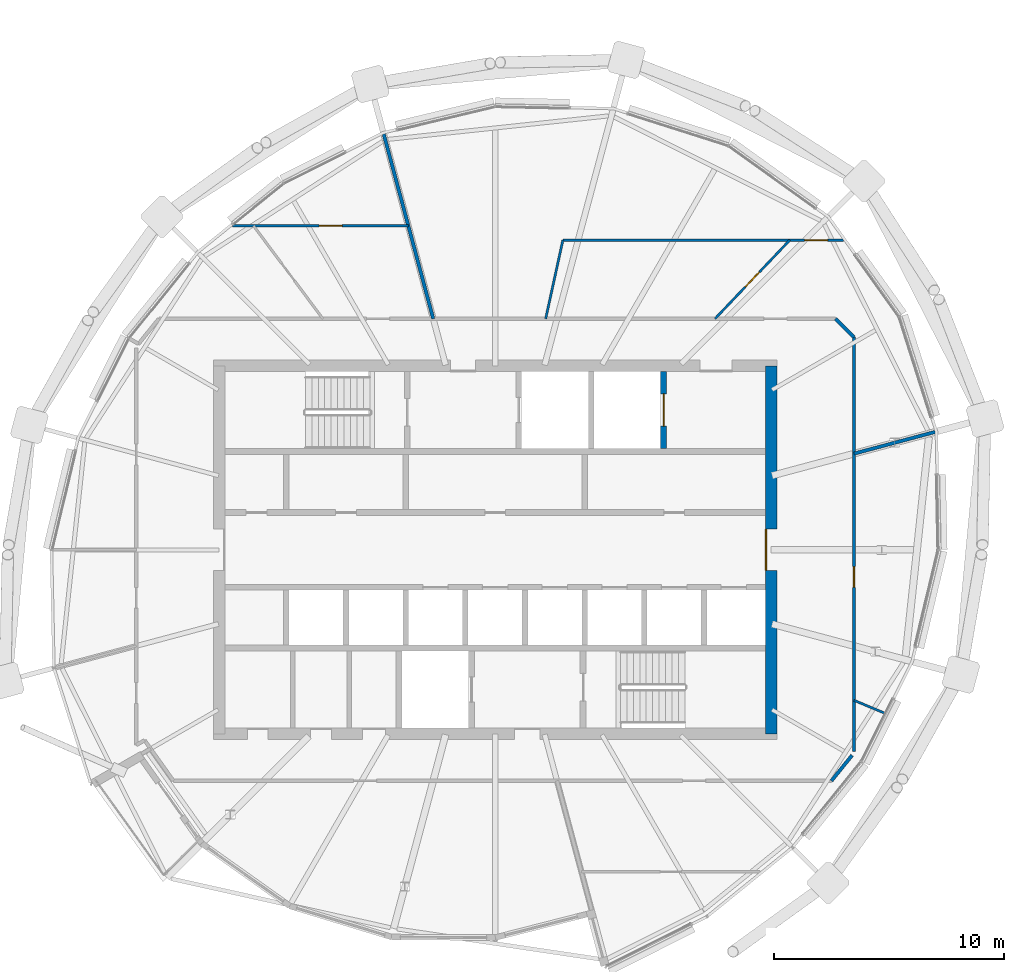
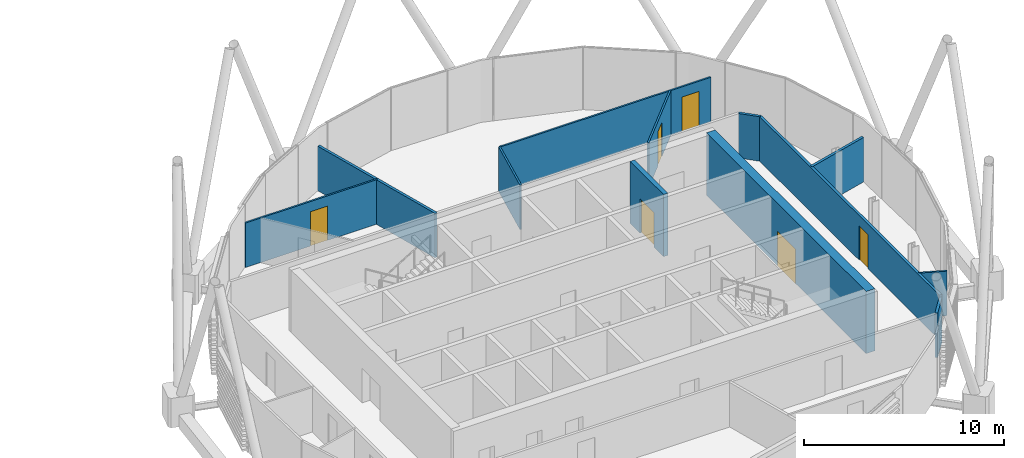
# One storey, part 24 of 32: 12 walls, 6 doors, 6 openings.
"""IFC4 building model written with IfcOpenShell, lengths in metres."""

from ifc_helpers import new_model, si_unit, direction, frame, frame_2d, origin, place, context, subcontext, project, spatial, rectangle, extrude, material, layer, layer_set, type_object, element, fill, save


model = new_model("IFC4")

# Units and contexts
model_context = context("Model", 3, precision=1e-05, world=origin(), true_north=direction((0.0, 1.0)))
body_context = subcontext(model_context, "Body", "Model", "MODEL_VIEW")
ifc_project = project(units=[si_unit("LENGTHUNIT", "METRE"), si_unit("AREAUNIT", "SQUARE_METRE"), si_unit("VOLUMEUNIT", "CUBIC_METRE"), si_unit("PLANEANGLEUNIT", "RADIAN"), si_unit("MASSUNIT", "GRAM", prefix="KILO")], contexts=[model_context])

# Site, building, storey
site_placement = place(None, origin())
site = spatial("IfcSite", under=ifc_project, at=site_placement, CompositionType="ELEMENT")
building_placement = place(site_placement, origin())
building = spatial("IfcBuilding", under=site, at=building_placement, Name="Rimbun Link Towers", CompositionType="ELEMENT")
storey_placement = place(building_placement, frame((0.0, 0.0, 233.300048828125)))
storey = spatial("IfcBuildingStorey", under=building, at=storey_placement, Name="L57", CompositionType="ELEMENT", Elevation=233.300048828125)

# Wall, opening, door
ifc_material_1 = material(Name="Concrete C60/75", Category="concrete")
ifc_layer_1 = layer(ifc_material_1, 0.5)
ifc_layer_set_1 = layer_set([ifc_layer_1], Name="Core shear wall 500")
wall_type_1 = type_object("IfcWallType", Name="Core shear wall 500", PredefinedType="SHEAR", material=ifc_layer_set_1)
wall_1_placement = place(storey_placement, frame((43.75, -8.0, 0.0), z_axis=(0.0, 0.0, 1.0), x_axis=(0.0, 1.0, 0.0)))
wall_1 = element("IfcWall", 1, at=wall_1_placement, inside=storey, type_object=wall_type_1, Name="L57 T2 core wall E", PredefinedType="SHEAR", context=body_context, shape_type="SweptSolid", body=[
    extrude(rectangle(XDim=16.0, YDim=0.5, at=frame_2d((8.0, 0.0))), origin(), (0.0, 0.0, 1.0), 3.800048828125),
])
opening_1_placement = place(wall_1_placement, frame((7.10009765625, 0.0, 0.0)))
opening_1 = element("IfcOpeningElement", 2, at=opening_1_placement, cuts=wall_1, Name="Opening C2DCL01E", PredefinedType="OPENING", context=body_context, shape_type="SweptSolid", body=[
    extrude(rectangle(XDim=1.800048828125, YDim=2.10009765625, at=frame_2d((0.89990234375, 1.050048828125))), frame((0.0, 0.260009765625, 0.0), z_axis=(0.0, -1.0, 0.0), x_axis=(1.0, 0.0, 0.0)), (0.0, 0.0, 1.0), 0.52001953125),
])
ifc_material_2 = material(Name="Steel fire door set", Category="steel")
door_type_1 = type_object("IfcDoorType", Name="Core lobby door double", OperationType="DOUBLE_DOOR_SINGLE_SWING", PredefinedType="DOOR", material=ifc_material_2)
door_1_placement = place(opening_1_placement, origin())
door_1 = element("IfcDoor", 3, at=door_1_placement, inside=storey, type_object=door_type_1, Name="L57 T2 lift lobby door", OperationType="DOUBLE_DOOR_SINGLE_SWING", OverallHeight=2.10009765625, OverallWidth=1.800048828125, PredefinedType="DOOR", context=body_context, shape_type="SweptSolid", body=[
    extrude(rectangle(XDim=1.800048828125, YDim=2.10009765625, at=frame_2d((0.89990234375, 1.050048828125))), frame((0.0, 0.25, 0.0), z_axis=(0.0, -1.0, 0.0), x_axis=(1.0, 0.0, 0.0)), (0.0, 0.0, 1.0), 0.050048828125),
])
fill(opening_1, door_1)

# Wall
ifc_material_3 = material(Name="Plasterboard on steel stud, mineral wool", Category="steel")
ifc_layer_2 = layer(ifc_material_3, 0.14990234375)
ifc_layer_set_2 = layer_set([ifc_layer_2], Name="Corridor wall EI 30 150 mm")
wall_type_2 = type_object("IfcWallType", Name="Corridor wall EI 30 150 mm", PredefinedType="PARTITIONING", material=ifc_layer_set_2)
wall_2_placement = place(storey_placement, frame((47.35498046875, 9.24365234375, 0.0), z_axis=(0.0, 0.0, 1.0), x_axis=(-0.707106781187, 0.707106781187, 0.0)))
element("IfcWall", 4, at=wall_2_placement, inside=storey, type_object=wall_type_2, Name="Corridor wall EI 30 150 mm", PredefinedType="PARTITIONING", context=body_context, shape_type="SweptSolid", body=[
    extrude(rectangle(XDim=1.133056640625, YDim=0.14990234375, at=frame_2d((0.56640625, 0.0))), origin(), (0.0, 0.0, 1.0), 2.721923828125),
])

# Wall, opening, door
wall_3_placement = place(storey_placement, frame((47.35498046875, 9.24365234375, 0.0), z_axis=(0.0, 0.0, 1.0), x_axis=(0.0, -1.0, 0.0)))
wall_3 = element("IfcWall", 5, at=wall_3_placement, inside=storey, type_object=wall_type_2, Name="Corridor wall EI 30 150 mm", PredefinedType="PARTITIONING", context=body_context, shape_type="SweptSolid", body=[
    extrude(rectangle(XDim=18.01318359375, YDim=0.14990234375, at=frame_2d((9.006591796875, 0.0))), origin(), (0.0, 0.0, 1.0), 2.721923828125),
])
opening_2_placement = place(wall_3_placement, frame((9.9755859375, 0.0, 0.0)))
opening_2 = element("IfcOpeningElement", 6, at=opening_2_placement, cuts=wall_3, Name="Opening D02", PredefinedType="OPENING", context=body_context, shape_type="SweptSolid", body=[
    extrude(rectangle(XDim=0.89990234375, YDim=2.10009765625, at=frame_2d((0.449951171875, 1.050048828125))), frame((0.0, 0.0849609375, 0.0), z_axis=(0.0, -1.0, 0.0), x_axis=(1.0, 0.0, 0.0)), (0.0, 0.0, 1.0), 0.169921875),
])
ifc_material_4 = material(Name="Fire-resisting timber door leaf", Category="wood")
door_type_2 = type_object("IfcDoorType", Name="Fire door FD30S 900", OperationType="NOTDEFINED", PredefinedType="DOOR", material=ifc_material_4)
door_2_placement = place(opening_2_placement, origin())
door_2 = element("IfcDoor", 7, at=door_2_placement, inside=storey, type_object=door_type_2, Name="Fire door FD30S 900 to Meeting room", OperationType="SINGLE_SWING_LEFT", OverallHeight=2.10009765625, OverallWidth=0.89990234375, PredefinedType="DOOR", context=body_context, shape_type="SweptSolid", body=[
    extrude(rectangle(XDim=0.89990234375, YDim=2.10009765625, at=frame_2d((0.449951171875, 1.050048828125))), frame((0.0, 0.02490234375, 0.0), z_axis=(0.0, -1.0, 0.0), x_axis=(1.0, 0.0, 0.0)), (0.0, 0.0, 1.0), 0.050048828125),
])
fill(opening_2, door_2)

# Walls
wall_4_placement = place(storey_placement, frame((46.37353515625, -10.044921875, 0.0), z_axis=(0.0, 0.0, 1.0), x_axis=(0.629149019121, 0.777284704428, 0.0)))
element("IfcWall", 8, at=wall_4_placement, inside=storey, type_object=wall_type_2, Name="Corridor wall EI 30 150 mm", PredefinedType="PARTITIONING", context=body_context, shape_type="SweptSolid", body=[
    extrude(rectangle(XDim=1.42724609375, YDim=0.14990234375, at=frame_2d((0.713623046875, 0.0))), origin(), (0.0, 0.0, 1.0), 2.721923828125),
])
ifc_material_5 = material(Name="Plasterboard on steel stud", Category="steel")
ifc_layer_3 = layer(ifc_material_5, 0.10009765625)
ifc_layer_set_3 = layer_set([ifc_layer_3], Name="Plasterboard partition 100 mm")
wall_type_3 = type_object("IfcWallType", Name="Plasterboard partition 100 mm", PredefinedType="PARTITIONING", material=ifc_layer_set_3)
wall_5_placement = place(storey_placement, frame((48.693603515625, -7.106689453125, 0.0), z_axis=(0.0, 0.0, 1.0), x_axis=(-0.922153744636, 0.386823566052, 0.0)))
element("IfcWall", 9, at=wall_5_placement, inside=storey, type_object=wall_type_3, Name="Plasterboard partition 100 mm", PredefinedType="PARTITIONING", context=body_context, shape_type="SweptSolid", body=[
    extrude(rectangle(XDim=1.45166015625, YDim=0.10009765625, at=frame_2d((0.725830078125, 0.0))), origin(), (0.0, 0.0, 1.0), 2.721923828125),
])

# Wall, opening, door
wall_6_placement = place(storey_placement, frame((41.3076171875, 10.044921875, 0.0), z_axis=(0.0, 0.0, 1.0), x_axis=(0.689305141444, 0.724471132605, 0.0)))
wall_6 = element("IfcWall", 10, at=wall_6_placement, inside=storey, type_object=wall_type_3, Name="Plasterboard partition 100 mm", PredefinedType="PARTITIONING", context=body_context, shape_type="SweptSolid", body=[
    extrude(rectangle(XDim=4.720947265625, YDim=0.10009765625, at=frame_2d((2.3603515625, 0.0))), origin(), (0.0, 0.0, 1.0), 2.721923828125),
])
opening_3_placement = place(wall_6_placement, frame((1.910400390625, 0.0, 0.0)))
opening_3 = element("IfcOpeningElement", 11, at=opening_3_placement, cuts=wall_6, Name="Opening D04", PredefinedType="OPENING", context=body_context, shape_type="SweptSolid", body=[
    extrude(rectangle(XDim=0.89990234375, YDim=2.10009765625, at=frame_2d((0.449951171875, 1.050048828125))), frame((0.0, 0.06005859375, 0.0), z_axis=(0.0, -1.0, 0.0), x_axis=(1.0, 0.0, 0.0)), (0.0, 0.0, 1.0), 0.1201171875),
])
ifc_material_6 = material(Name="Timber door leaf", Category="wood")
door_type_3 = type_object("IfcDoorType", Name="Flush door 900", OperationType="NOTDEFINED", PredefinedType="DOOR", material=ifc_material_6)
door_3_placement = place(opening_3_placement, origin())
door_3 = element("IfcDoor", 12, at=door_3_placement, inside=storey, type_object=door_type_3, Name="Flush door 900 to Meeting room", OperationType="SINGLE_SWING_LEFT", OverallHeight=2.10009765625, OverallWidth=0.89990234375, PredefinedType="DOOR", context=body_context, shape_type="SweptSolid", body=[
    extrude(rectangle(XDim=0.89990234375, YDim=2.10009765625, at=frame_2d((0.449951171875, 1.050048828125))), frame((0.0, 0.02490234375, 0.0), z_axis=(0.0, -1.0, 0.0), x_axis=(1.0, 0.0, 0.0)), (0.0, 0.0, 1.0), 0.050048828125),
])
fill(opening_3, door_3)

wall_7_placement = place(storey_placement, frame((34.695068359375, 13.465087890625, 0.0), z_axis=(0.0, 0.0, 1.0), x_axis=(1.0, 0.0, 0.0)))
wall_7 = element("IfcWall", 13, at=wall_7_placement, inside=storey, type_object=wall_type_3, Name="Plasterboard partition 100 mm", PredefinedType="PARTITIONING", context=body_context, shape_type="SweptSolid", body=[
    extrude(rectangle(XDim=12.19921875, YDim=0.10009765625, at=frame_2d((6.099609375, 0.0))), origin(), (0.0, 0.0, 1.0), 2.721923828125),
])
opening_4_placement = place(wall_7_placement, frame((10.51220703125, 0.0, 0.0)))
opening_4 = element("IfcOpeningElement", 14, at=opening_4_placement, cuts=wall_7, Name="Opening D03", PredefinedType="OPENING", context=body_context, shape_type="SweptSolid", body=[
    extrude(rectangle(XDim=1.0, YDim=2.10009765625, at=frame_2d((0.5, 1.050048828125))), frame((0.0, 0.06005859375, 0.0), z_axis=(0.0, -1.0, 0.0), x_axis=(1.0, 0.0, 0.0)), (0.0, 0.0, 1.0), 0.1201171875),
])
ifc_material_7 = material(Name="Timber door leaf", Category="wood")
door_type_4 = type_object("IfcDoorType", Name="Flush door 1000", OperationType="NOTDEFINED", PredefinedType="DOOR", material=ifc_material_7)
door_4_placement = place(opening_4_placement, origin())
door_4 = element("IfcDoor", 15, at=door_4_placement, inside=storey, type_object=door_type_4, Name="Flush door 1000 to Open office", OperationType="SINGLE_SWING_LEFT", OverallHeight=2.10009765625, OverallWidth=1.0, PredefinedType="DOOR", context=body_context, shape_type="SweptSolid", body=[
    extrude(rectangle(XDim=1.0, YDim=2.10009765625, at=frame_2d((0.5, 1.050048828125))), frame((0.0, 0.02490234375, 0.0), z_axis=(0.0, -1.0, 0.0), x_axis=(1.0, 0.0, 0.0)), (0.0, 0.0, 1.0), 0.050048828125),
])
fill(opening_4, door_4)

# Wall
wall_8_placement = place(storey_placement, frame((34.695068359375, 13.465087890625, 0.0), z_axis=(0.0, 0.0, 1.0), x_axis=(-0.213665683514, -0.976906840844, 0.0)))
element("IfcWall", 16, at=wall_8_placement, inside=storey, type_object=wall_type_3, Name="Plasterboard partition 100 mm", PredefinedType="PARTITIONING", context=body_context, shape_type="SweptSolid", body=[
    extrude(rectangle(XDim=3.5009765625, YDim=0.10009765625, at=frame_2d((1.75048828125, 0.0))), origin(), (0.0, 0.0, 1.0), 2.721923828125),
])

# Wall, opening, door
wall_9_placement = place(storey_placement, frame((20.336669921875, 14.094970703125, 0.0), z_axis=(0.0, 0.0, 1.0), x_axis=(1.0, 0.0, 0.0)))
wall_9 = element("IfcWall", 17, at=wall_9_placement, inside=storey, type_object=wall_type_3, Name="Plasterboard partition 100 mm", PredefinedType="PARTITIONING", context=body_context, shape_type="SweptSolid", body=[
    extrude(rectangle(XDim=7.63671875, YDim=0.10009765625, at=frame_2d((3.818359375, 0.0))), origin(), (0.0, 0.0, 1.0), 2.721923828125),
])
opening_5_placement = place(wall_9_placement, frame((3.7548828125, 0.0, 0.0)))
opening_5 = element("IfcOpeningElement", 18, at=opening_5_placement, cuts=wall_9, Name="Opening D03", PredefinedType="OPENING", context=body_context, shape_type="SweptSolid", body=[
    extrude(rectangle(XDim=1.0, YDim=2.10009765625, at=frame_2d((0.5, 1.050048828125))), frame((0.0, 0.06005859375, 0.0), z_axis=(0.0, -1.0, 0.0), x_axis=(1.0, 0.0, 0.0)), (0.0, 0.0, 1.0), 0.1201171875),
])
door_5_placement = place(opening_5_placement, origin())
door_5 = element("IfcDoor", 19, at=door_5_placement, inside=storey, type_object=door_type_4, Name="Flush door 1000 to Boardroom", OperationType="SINGLE_SWING_RIGHT", OverallHeight=2.10009765625, OverallWidth=1.0, PredefinedType="DOOR", context=body_context, shape_type="SweptSolid", body=[
    extrude(rectangle(XDim=1.0, YDim=2.10009765625, at=frame_2d((0.5, 1.050048828125))), frame((0.0, 0.02490234375, 0.0), z_axis=(0.0, -1.0, 0.0), x_axis=(1.0, 0.0, 0.0)), (0.0, 0.0, 1.0), 0.050048828125),
])
fill(opening_5, door_5)

ifc_material_8 = material(Name="Concrete C60/75", Category="concrete")
ifc_layer_4 = layer(ifc_material_8, 0.25)
ifc_layer_set_4 = layer_set([ifc_layer_4], Name="Shaft wall 250")
wall_type_4 = type_object("IfcWallType", Name="Shaft wall 250", PredefinedType="SHEAR", material=ifc_layer_set_4)
wall_10_placement = place(storey_placement, frame((39.074951171875, 4.39990234375, 0.0), z_axis=(0.0, 0.0, 1.0), x_axis=(0.0, 1.0, 0.0)))
wall_10 = element("IfcWall", 20, at=wall_10_placement, inside=storey, type_object=wall_type_4, Name="L57 T2 core wall A4", PredefinedType="SHEAR", context=body_context, shape_type="SweptSolid", body=[
    extrude(rectangle(XDim=3.35009765625, YDim=0.25, at=frame_2d((1.675048828125, 0.0))), origin(), (0.0, 0.0, 1.0), 3.800048828125),
])
opening_6_placement = place(wall_10_placement, frame((0.97509765625, 0.0, 0.0)))
opening_6 = element("IfcOpeningElement", 21, at=opening_6_placement, cuts=wall_10, Name="Opening LD-T2-GL1", PredefinedType="OPENING", context=body_context, shape_type="SweptSolid", body=[
    extrude(rectangle(XDim=1.39990234375, YDim=2.10009765625, at=frame_2d((0.699951171875, 1.050048828125))), frame((0.0, 0.135009765625, 0.0), z_axis=(0.0, -1.0, 0.0), x_axis=(1.0, 0.0, 0.0)), (0.0, 0.0, 1.0), 0.27001953125),
])
ifc_material_9 = material(Name="Stainless steel grade 316", Category="steel")
door_type_5 = type_object("IfcDoorType", Name="Goods lift landing door", OperationType="DOUBLE_DOOR_SLIDING", PredefinedType="DOOR", material=ifc_material_9)
door_6_placement = place(opening_6_placement, origin())
door_6 = element("IfcDoor", 22, at=door_6_placement, inside=storey, type_object=door_type_5, Name="L57 T2 lift GL1 landing door", OperationType="DOUBLE_DOOR_SLIDING", OverallHeight=2.10009765625, OverallWidth=1.39990234375, PredefinedType="DOOR", context=body_context, shape_type="SweptSolid", body=[
    extrude(rectangle(XDim=1.39990234375, YDim=2.10009765625, at=frame_2d((0.699951171875, 1.050048828125))), frame((0.0, 0.02490234375, 0.0), z_axis=(0.0, -1.0, 0.0), x_axis=(1.0, 0.0, 0.0)), (0.0, 0.0, 1.0), 0.050048828125),
])
fill(opening_6, door_6)

# Walls
ifc_material_10 = material(Name="Plasterboard on steel stud, mineral wool", Category="steel")
ifc_layer_5 = layer(ifc_material_10, 0.14990234375)
ifc_layer_set_5 = layer_set([ifc_layer_5], Name="Tenancy separation wall EI 60 150 mm")
wall_type_5 = type_object("IfcWallType", Name="Tenancy separation wall EI 60 150 mm", PredefinedType="PARTITIONING", material=ifc_layer_set_5)
wall_11_placement = place(storey_placement, frame((29.05859375, 10.044921875, 0.0), z_axis=(0.0, 0.0, 1.0), x_axis=(-0.258840735474, 0.965920014111, 0.0)))
element("IfcWall", 23, at=wall_11_placement, inside=storey, type_object=wall_type_5, Name="Tenancy separation wall EI 60 150 mm", PredefinedType="PARTITIONING", context=body_context, shape_type="SweptSolid", body=[
    extrude(rectangle(XDim=8.318115234375, YDim=0.14990234375, at=frame_2d((4.1591796875, 0.0))), origin(), (0.0, 0.0, 1.0), 2.721923828125),
])
wall_12_placement = place(storey_placement, frame((47.35498046875, 4.181396484375, 0.0), z_axis=(0.0, 0.0, 1.0), x_axis=(0.965928942389, 0.258807415381, 0.0)))
element("IfcWall", 24, at=wall_12_placement, inside=storey, type_object=wall_type_5, Name="Tenancy separation wall EI 60 150 mm", PredefinedType="PARTITIONING", context=body_context, shape_type="SweptSolid", body=[
    extrude(rectangle(XDim=3.649658203125, YDim=0.14990234375, at=frame_2d((1.82470703125, 0.0))), origin(), (0.0, 0.0, 1.0), 2.721923828125),
])

save(model, "model.ifc")
